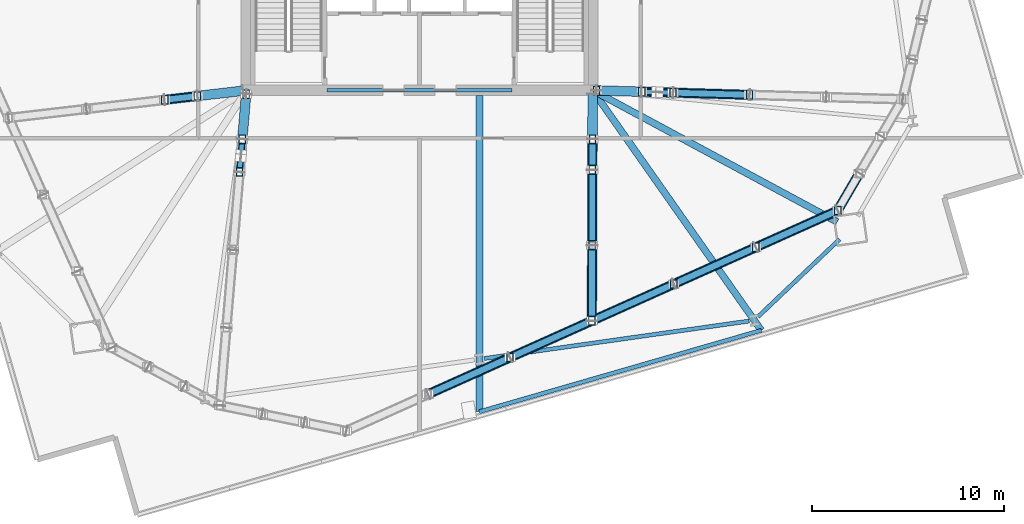
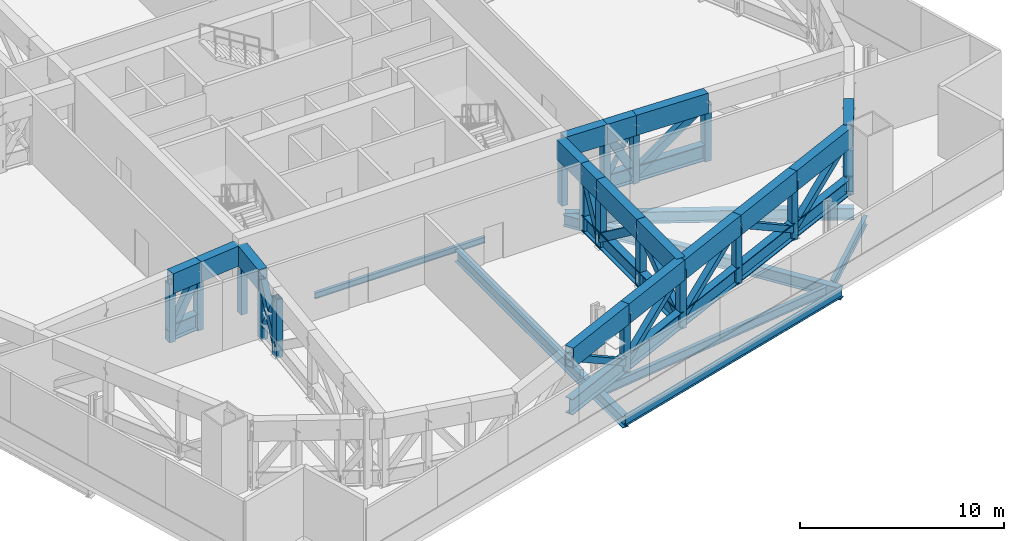
# One storey, part 3 of 19: 61 members, 7 beams.
"""IFC4 building model written with IfcOpenShell, lengths in metres."""

from ifc_helpers import new_model, si_unit, direction, frame, origin, origin_2d, place, context, subcontext, project, spatial, hollow_rectangle, hollow_circle, i_section, extrude, material, material_profile, profile_set, type_object, element, save


model = new_model("IFC4")

# Units and contexts
model_context = context("Model", 3, precision=1e-05, world=origin(), true_north=direction((0.0, 1.0)))
body_context = subcontext(model_context, "Body", "Model", "MODEL_VIEW")
ifc_project = project(units=[si_unit("LENGTHUNIT", "METRE"), si_unit("AREAUNIT", "SQUARE_METRE"), si_unit("VOLUMEUNIT", "CUBIC_METRE"), si_unit("PLANEANGLEUNIT", "RADIAN"), si_unit("MASSUNIT", "GRAM", prefix="KILO")], contexts=[model_context])

# Site, building, storey
site_placement = place(None, origin())
site = spatial("IfcSite", under=ifc_project, at=site_placement, CompositionType="ELEMENT")
building_placement = place(site_placement, origin())
building = spatial("IfcBuilding", under=site, at=building_placement, Name="Haldenkirk Collegiate Tower", CompositionType="ELEMENT")
storey_placement = place(building_placement, frame((0.0, 0.0, 81.449951171875)))
storey = spatial("IfcBuildingStorey", under=building, at=storey_placement, Name="L19", CompositionType="ELEMENT", Elevation=81.449951171875)

# Beams
ifc_material_1 = material(Name="Steel ASTM A992 Grade 50", Category="steel")
ifc_material_profile_1 = material_profile(ifc_material_1, i_section(OverallWidth=0.35498046875, OverallDepth=0.696044921875, WebThickness=0.015380859375, FlangeThickness=0.02490234375, at=origin_2d()), Name="W27X146")
ifc_profile_set_1 = profile_set([ifc_material_profile_1], Name="Steel ASTM A992 Grade 50")
beam_type_1 = type_object("IfcBeamType", Name="BM-GIRDER-W27X146", PredefinedType="BEAM", material=ifc_profile_set_1)
beam_1_placement = place(storey_placement, frame((57.71435546875, 11.15673828125, -0.758056640625), z_axis=(-0.880558564783, 0.473937352386, 0.0), x_axis=(-0.473937352386, -0.880558564783, 0.0)))
element("IfcBeam", 1, at=beam_1_placement, inside=storey, type_object=beam_type_1, Name="L19 primary floor girder 02", PredefinedType="BEAM", context=body_context, shape_type="SweptSolid", body=[
    extrude(i_section(OverallWidth=0.35498046875, OverallDepth=0.696044921875, WebThickness=0.015380859375, FlangeThickness=0.02490234375, at=origin_2d()), origin(), (0.0, 0.0, 1.0), 14.158935546875),
])
beam_2_placement = place(storey_placement, frame((39.10888671875, 1.287841796875, -0.758056640625), z_axis=(0.0, 1.0, 0.0), x_axis=(-1.0, 0.0, 0.0)))
element("IfcBeam", 2, at=beam_2_placement, inside=storey, type_object=beam_type_1, Name="L19 primary floor girder 06", PredefinedType="BEAM", context=body_context, shape_type="SweptSolid", body=[
    extrude(i_section(OverallWidth=0.35498046875, OverallDepth=0.696044921875, WebThickness=0.015380859375, FlangeThickness=0.02490234375, at=origin_2d()), origin(), (0.0, 0.0, 1.0), 16.43212890625),
])
beam_3_placement = place(storey_placement, frame((53.768798828125, 5.519287109375, -0.758056640625), z_axis=(-0.574882973857, 0.818235642324, 0.0), x_axis=(-0.818235642324, -0.574882973857, 0.0)))
element("IfcBeam", 3, at=beam_3_placement, inside=storey, type_object=beam_type_1, Name="L19 primary floor girder 07", PredefinedType="BEAM", context=body_context, shape_type="SweptSolid", body=[
    extrude(i_section(OverallWidth=0.35498046875, OverallDepth=0.696044921875, WebThickness=0.015380859375, FlangeThickness=0.02490234375, at=origin_2d()), origin(), (0.0, 0.0, 1.0), 14.973388671875),
])
ifc_material_profile_2 = material_profile(ifc_material_1, i_section(OverallWidth=0.1708984375, OverallDepth=0.35595703125, WebThickness=0.007080078125, FlangeThickness=0.01171875, at=origin_2d()), Name="W14X34")
ifc_profile_set_2 = profile_set([ifc_material_profile_2], Name="Steel ASTM A992 Grade 50")
beam_type_2 = type_object("IfcBeamType", Name="BM-LINTEL-W14X34", PredefinedType="LINTEL", material=ifc_profile_set_2)
beam_4_placement = place(storey_placement, frame((31.199951171875, 18.0, -0.587890625), z_axis=(1.0, 0.0, 0.0), x_axis=(0.0, 1.0, 0.0)))
element("IfcBeam", 4, at=beam_4_placement, inside=storey, type_object=beam_type_2, Name="L19 south core coupling lintel", PredefinedType="LINTEL", context=body_context, shape_type="SweptSolid", body=[
    extrude(i_section(OverallWidth=0.1708984375, OverallDepth=0.35595703125, WebThickness=0.007080078125, FlangeThickness=0.01171875, at=origin_2d()), origin(), (0.0, 0.0, 1.0), 9.60009765625),
])
ifc_material_profile_3 = material_profile(ifc_material_1, i_section(OverallWidth=0.2119140625, OverallDepth=0.5439453125, WebThickness=0.01318359375, FlangeThickness=0.021240234375, at=origin_2d()), Name="W21X83")
ifc_profile_set_3 = profile_set([ifc_material_profile_3], Name="Steel ASTM A992 Grade 50")
beam_type_3 = type_object("IfcBeamType", Name="BM-SPANDREL-W21X83", PredefinedType="SPANDREL", material=ifc_profile_set_3)
beam_5_placement = place(storey_placement, frame((39.37060546875, 4.055908203125, -0.681884765625), z_axis=(0.990146197746, 0.14003752029, 0.0), x_axis=(-0.14003752029, 0.990146197746, 0.0)))
element("IfcBeam", 5, at=beam_5_placement, inside=storey, type_object=beam_type_3, Name="L19 perimeter spandrel beam 03", PredefinedType="SPANDREL", context=body_context, shape_type="SweptSolid", body=[
    extrude(i_section(OverallWidth=0.2119140625, OverallDepth=0.5439453125, WebThickness=0.01318359375, FlangeThickness=0.021240234375, at=origin_2d()), origin(), (0.0, 0.0, 1.0), 13.906982421875),
])
beam_6_placement = place(storey_placement, frame((53.594482421875, 6.222412109375, -0.681884765625), z_axis=(0.725113023209, 0.688629874151, 0.0), x_axis=(-0.688629874151, 0.725113023209, 0.0)))
element("IfcBeam", 6, at=beam_6_placement, inside=storey, type_object=beam_type_3, Name="L19 perimeter spandrel beam 04", PredefinedType="SPANDREL", context=body_context, shape_type="SweptSolid", body=[
    extrude(i_section(OverallWidth=0.2119140625, OverallDepth=0.5439453125, WebThickness=0.01318359375, FlangeThickness=0.021240234375, at=origin_2d()), origin(), (0.0, 0.0, 1.0), 5.8486328125),
])
beam_7_placement = place(storey_placement, frame((39.10888671875, 1.287841796875, -0.681884765625), z_axis=(0.960777772802, 0.277319439076, 0.0), x_axis=(-0.277319439076, 0.960777772802, 0.0)))
element("IfcBeam", 7, at=beam_7_placement, inside=storey, type_object=beam_type_3, Name="L19 outer facade edge beam 1", PredefinedType="SPANDREL", context=body_context, shape_type="SweptSolid", body=[
    extrude(i_section(OverallWidth=0.2119140625, OverallDepth=0.5439453125, WebThickness=0.01318359375, FlangeThickness=0.021240234375, at=origin_2d()), origin(), (0.0, 0.0, 1.0), 15.25830078125),
])

# Members
ifc_material_2 = material(Name="Steel ASTM A572 Grade 50", Category="steel")
ifc_material_profile_4 = material_profile(ifc_material_2, hollow_rectangle(XDim=0.5, YDim=1.199951171875, WallThickness=0.050048828125, at=origin_2d()), Name="BOX1200X500X50")
ifc_profile_set_4 = profile_set([ifc_material_profile_4], Name="Steel ASTM A572 Grade 50")
member_type_1 = type_object("IfcMemberType", Name="MBR-CHORD-BOX1200", PredefinedType="CHORD", material=ifc_profile_set_4)
member_1_placement = place(storey_placement, frame((26.983154296875, 17.80078125, 3.489990234375), z_axis=(-0.084133090654, -0.996454526337, 0.0), x_axis=(0.996454526337, -0.084133090654, 0.0)))
element("IfcMember", 8, at=member_1_placement, inside=storey, type_object=member_type_1, Name="Outrigger Truss L19 Radial 01 top chord 1", PredefinedType="CHORD", context=body_context, shape_type="SweptSolid", body=[
    extrude(hollow_rectangle(XDim=0.5, YDim=1.199951171875, WallThickness=0.050048828125, at=origin_2d()), origin(), (0.0, 0.0, 1.0), 2.359130859375),
])
member_2_placement = place(storey_placement, frame((45.199951171875, 17.994140625, 3.489990234375), z_axis=(0.999580228284, -0.028971834998, 0.0), x_axis=(0.028971834998, 0.999580228284, 0.0)))
element("IfcMember", 9, at=member_2_placement, inside=storey, type_object=member_type_1, Name="Outrigger Truss L19 Radial 02 top chord 1", PredefinedType="CHORD", context=body_context, shape_type="SweptSolid", body=[
    extrude(hollow_rectangle(XDim=0.5, YDim=1.199951171875, WallThickness=0.050048828125, at=origin_2d()), origin(), (0.0, 0.0, 1.0), 2.35107421875),
])
member_3_placement = place(storey_placement, frame((47.550048828125, 17.926025390625, 3.489990234375), z_axis=(0.999581379332, -0.028932094513, 0.0), x_axis=(0.028932094513, 0.999581379332, 0.0)))
element("IfcMember", 10, at=member_3_placement, inside=storey, type_object=member_type_1, Name="Outrigger Truss L19 Radial 02 top chord 2", PredefinedType="CHORD", context=body_context, shape_type="SweptSolid", body=[
    extrude(hollow_rectangle(XDim=0.5, YDim=1.199951171875, WallThickness=0.050048828125, at=origin_2d()), origin(), (0.0, 0.0, 1.0), 1.628662109375),
])
member_4_placement = place(storey_placement, frame((49.177978515625, 17.87890625, 3.489990234375), z_axis=(0.999580699519, -0.028955572, 0.0), x_axis=(0.028955572, 0.999580699519, 0.0)))
element("IfcMember", 11, at=member_4_placement, inside=storey, type_object=member_type_1, Name="Outrigger Truss L19 Radial 02 top chord 3", PredefinedType="CHORD", context=body_context, shape_type="SweptSolid", body=[
    extrude(hollow_rectangle(XDim=0.5, YDim=1.199951171875, WallThickness=0.050048828125, at=origin_2d()), origin(), (0.0, 0.0, 1.0), 3.979736328125),
])
member_5_placement = place(storey_placement, frame((44.999267578125, 17.800048828125, 3.489990234375), z_axis=(-0.003324311571, -0.999994474461, 0.0), x_axis=(0.999994474461, -0.003324311571, 0.0)))
element("IfcMember", 12, at=member_5_placement, inside=storey, type_object=member_type_1, Name="Outrigger Truss L19 Radial 05 top chord 1", PredefinedType="CHORD", context=body_context, shape_type="SweptSolid", body=[
    extrude(hollow_rectangle(XDim=0.5, YDim=1.199951171875, WallThickness=0.050048828125, at=origin_2d()), origin(), (0.0, 0.0, 1.0), 2.35009765625),
])
member_6_placement = place(storey_placement, frame((44.991455078125, 15.449951171875, 3.489990234375), z_axis=(-0.003404498995, -0.999994204677, 0.0), x_axis=(0.999994204677, -0.003404498995, 0.0)))
element("IfcMember", 13, at=member_6_placement, inside=storey, type_object=member_type_1, Name="Outrigger Truss L19 Radial 05 top chord 2", PredefinedType="CHORD", context=body_context, shape_type="SweptSolid", body=[
    extrude(hollow_rectangle(XDim=0.5, YDim=1.199951171875, WallThickness=0.050048828125, at=origin_2d()), origin(), (0.0, 0.0, 1.0), 1.57763671875),
])
member_7_placement = place(storey_placement, frame((44.986083984375, 13.872314453125, 3.489990234375), z_axis=(-0.003356520127, -0.99999436687, 0.0), x_axis=(0.99999436687, -0.003356520127, 0.0)))
element("IfcMember", 14, at=member_7_placement, inside=storey, type_object=member_type_1, Name="Outrigger Truss L19 Radial 05 top chord 3", PredefinedType="CHORD", context=body_context, shape_type="SweptSolid", body=[
    extrude(hollow_rectangle(XDim=0.5, YDim=1.199951171875, WallThickness=0.050048828125, at=origin_2d()), origin(), (0.0, 0.0, 1.0), 3.927734375),
])
member_8_placement = place(storey_placement, frame((44.972900390625, 9.944580078125, 3.489990234375), z_axis=(-0.003294158272, -0.999994574246, 0.0), x_axis=(0.999994574246, -0.003294158272, 0.0)))
element("IfcMember", 15, at=member_8_placement, inside=storey, type_object=member_type_1, Name="Outrigger Truss L19 Radial 05 top chord 4", PredefinedType="CHORD", context=body_context, shape_type="SweptSolid", body=[
    extrude(hollow_rectangle(XDim=0.5, YDim=1.199951171875, WallThickness=0.050048828125, at=origin_2d()), origin(), (0.0, 0.0, 1.0), 3.927978515625),
])
member_9_placement = place(storey_placement, frame((26.80126953125, 17.976806640625, 3.489990234375), z_axis=(-0.993294165469, -0.115614449122, 0.0), x_axis=(0.115614449122, -0.993294165469, 0.0)))
element("IfcMember", 16, at=member_9_placement, inside=storey, type_object=member_type_1, Name="Outrigger Truss L19 Radial 08 top chord 1", PredefinedType="CHORD", context=body_context, shape_type="SweptSolid", body=[
    extrude(hollow_rectangle(XDim=0.5, YDim=1.199951171875, WallThickness=0.050048828125, at=origin_2d()), origin(), (0.0, 0.0, 1.0), 2.3671875),
])
member_10_placement = place(storey_placement, frame((24.449951171875, 17.703125, 3.489990234375), z_axis=(-0.993282262026, -0.115716670985, 0.0), x_axis=(0.115716670985, -0.993282262026, 0.0)))
element("IfcMember", 17, at=member_10_placement, inside=storey, type_object=member_type_1, Name="Outrigger Truss L19 Radial 08 top chord 2", PredefinedType="CHORD", context=body_context, shape_type="SweptSolid", body=[
    extrude(hollow_rectangle(XDim=0.5, YDim=1.199951171875, WallThickness=0.050048828125, at=origin_2d()), origin(), (0.0, 0.0, 1.0), 1.713134765625),
])
member_11_placement = place(storey_placement, frame((36.44091796875, 2.197021484375, 3.489990234375), z_axis=(0.912471623482, 0.409139996016, 0.0), x_axis=(-0.409139996016, 0.912471623482, 0.0)))
element("IfcMember", 18, at=member_11_placement, inside=storey, type_object=member_type_1, Name="Belt Truss L19-02 top chord 2", PredefinedType="CHORD", context=body_context, shape_type="SweptSolid", body=[
    extrude(hollow_rectangle(XDim=0.5, YDim=1.199951171875, WallThickness=0.050048828125, at=origin_2d()), origin(), (0.0, 0.0, 1.0), 4.668212890625),
])
for number, where, z_axis, x_axis, name in (
    (19, (40.700439453125, 4.10693359375, 3.489990234375), (0.91249114781, 0.409096449714, 0.0), (-0.409096449714, 0.91249114781, 0.0), "Belt Truss L19-02 top chord 3"),
    (20, (44.9599609375, 6.0166015625, 3.489990234375), (0.912462868131, 0.409159521804, 0.0), (-0.409159521804, 0.912462868131, 0.0), "Belt Truss L19-03 top chord 1"),
):
    element("IfcMember", number, at=place(storey_placement, frame(where, z_axis=z_axis, x_axis=x_axis)), inside=storey, type_object=member_type_1, Name=name, PredefinedType="CHORD", context=body_context, shape_type="SweptSolid", body=[
        extrude(hollow_rectangle(XDim=0.5, YDim=1.199951171875, WallThickness=0.050048828125, at=origin_2d()), origin(), (0.0, 0.0, 1.0), 4.66796875),
    ])
member_12_placement = place(storey_placement, frame((49.21923828125, 7.926513671875, 3.489990234375), z_axis=(0.912471623482, 0.409139996016, 0.0), x_axis=(-0.409139996016, 0.912471623482, 0.0)))
element("IfcMember", 21, at=member_12_placement, inside=storey, type_object=member_type_1, Name="Belt Truss L19-03 top chord 2", PredefinedType="CHORD", context=body_context, shape_type="SweptSolid", body=[
    extrude(hollow_rectangle(XDim=0.5, YDim=1.199951171875, WallThickness=0.050048828125, at=origin_2d()), origin(), (0.0, 0.0, 1.0), 4.668212890625),
])
member_13_placement = place(storey_placement, frame((53.478759765625, 9.83642578125, 3.489990234375), z_axis=(0.91249114781, 0.409096449714, 0.0), x_axis=(-0.409096449714, 0.91249114781, 0.0)))
element("IfcMember", 22, at=member_13_placement, inside=storey, type_object=member_type_1, Name="Belt Truss L19-03 top chord 3", PredefinedType="CHORD", context=body_context, shape_type="SweptSolid", body=[
    extrude(hollow_rectangle(XDim=0.5, YDim=1.199951171875, WallThickness=0.050048828125, at=origin_2d()), origin(), (0.0, 0.0, 1.0), 4.66796875),
])
member_14_placement = place(storey_placement, frame((57.73828125, 11.74609375, 3.489990234375), z_axis=(0.503633058286, 0.863917671194, 0.0), x_axis=(-0.863917671194, 0.503633058286, 0.0)))
element("IfcMember", 23, at=member_14_placement, inside=storey, type_object=member_type_1, Name="Belt Truss L19-04 top chord 1", PredefinedType="CHORD", context=body_context, shape_type="SweptSolid", body=[
    extrude(hollow_rectangle(XDim=0.5, YDim=1.199951171875, WallThickness=0.050048828125, at=origin_2d()), origin(), (0.0, 0.0, 1.0), 2.23291015625),
])
ifc_material_3 = material(Name="Steel ASTM A913 Grade 65", Category="steel")
ifc_material_profile_5 = material_profile(ifc_material_3, i_section(OverallWidth=0.423095703125, OverallDepth=0.947998046875, WebThickness=0.02392578125, FlangeThickness=0.042724609375, at=origin_2d()), Name="W36X302")
ifc_profile_set_5 = profile_set([ifc_material_profile_5], Name="Steel ASTM A913 Grade 65")
member_type_2 = type_object("IfcMemberType", Name="MBR-CHORD-W36X302", PredefinedType="CHORD", material=ifc_profile_set_5)
member_15_placement = place(storey_placement, frame((47.550048828125, 17.926025390625, 0.550048828125), z_axis=(0.999581379332, -0.028932094513, 0.0), x_axis=(0.028932094513, 0.999581379332, 0.0)))
element("IfcMember", 24, at=member_15_placement, inside=storey, type_object=member_type_2, Name="Outrigger Truss L19 Radial 02 bottom chord 2", PredefinedType="CHORD", context=body_context, shape_type="SweptSolid", body=[
    extrude(i_section(OverallWidth=0.423095703125, OverallDepth=0.947998046875, WebThickness=0.02392578125, FlangeThickness=0.042724609375, at=origin_2d()), origin(), (0.0, 0.0, 1.0), 1.628662109375),
])
member_16_placement = place(storey_placement, frame((49.177978515625, 17.87890625, 0.550048828125), z_axis=(0.999580699519, -0.028955572, 0.0), x_axis=(0.028955572, 0.999580699519, 0.0)))
element("IfcMember", 25, at=member_16_placement, inside=storey, type_object=member_type_2, Name="Outrigger Truss L19 Radial 02 bottom chord 3", PredefinedType="CHORD", context=body_context, shape_type="SweptSolid", body=[
    extrude(i_section(OverallWidth=0.423095703125, OverallDepth=0.947998046875, WebThickness=0.02392578125, FlangeThickness=0.042724609375, at=origin_2d()), origin(), (0.0, 0.0, 1.0), 3.979736328125),
])
member_17_placement = place(storey_placement, frame((44.991455078125, 15.449951171875, 0.550048828125), z_axis=(-0.003404498995, -0.999994204677, 0.0), x_axis=(0.999994204677, -0.003404498995, 0.0)))
element("IfcMember", 26, at=member_17_placement, inside=storey, type_object=member_type_2, Name="Outrigger Truss L19 Radial 05 bottom chord 2", PredefinedType="CHORD", context=body_context, shape_type="SweptSolid", body=[
    extrude(i_section(OverallWidth=0.423095703125, OverallDepth=0.947998046875, WebThickness=0.02392578125, FlangeThickness=0.042724609375, at=origin_2d()), origin(), (0.0, 0.0, 1.0), 1.57763671875),
])
member_18_placement = place(storey_placement, frame((44.986083984375, 13.872314453125, 0.550048828125), z_axis=(-0.003356520127, -0.99999436687, 0.0), x_axis=(0.99999436687, -0.003356520127, 0.0)))
element("IfcMember", 27, at=member_18_placement, inside=storey, type_object=member_type_2, Name="Outrigger Truss L19 Radial 05 bottom chord 3", PredefinedType="CHORD", context=body_context, shape_type="SweptSolid", body=[
    extrude(i_section(OverallWidth=0.423095703125, OverallDepth=0.947998046875, WebThickness=0.02392578125, FlangeThickness=0.042724609375, at=origin_2d()), origin(), (0.0, 0.0, 1.0), 3.927734375),
])
member_19_placement = place(storey_placement, frame((44.972900390625, 9.944580078125, 0.550048828125), z_axis=(-0.003294158272, -0.999994574246, 0.0), x_axis=(0.999994574246, -0.003294158272, 0.0)))
element("IfcMember", 28, at=member_19_placement, inside=storey, type_object=member_type_2, Name="Outrigger Truss L19 Radial 05 bottom chord 4", PredefinedType="CHORD", context=body_context, shape_type="SweptSolid", body=[
    extrude(i_section(OverallWidth=0.423095703125, OverallDepth=0.947998046875, WebThickness=0.02392578125, FlangeThickness=0.042724609375, at=origin_2d()), origin(), (0.0, 0.0, 1.0), 3.927978515625),
])
member_20_placement = place(storey_placement, frame((24.449951171875, 17.703125, 0.550048828125), z_axis=(-0.993282262026, -0.115716670985, 0.0), x_axis=(0.115716670985, -0.993282262026, 0.0)))
element("IfcMember", 29, at=member_20_placement, inside=storey, type_object=member_type_2, Name="Outrigger Truss L19 Radial 08 bottom chord 2", PredefinedType="CHORD", context=body_context, shape_type="SweptSolid", body=[
    extrude(i_section(OverallWidth=0.423095703125, OverallDepth=0.947998046875, WebThickness=0.02392578125, FlangeThickness=0.042724609375, at=origin_2d()), origin(), (0.0, 0.0, 1.0), 1.713134765625),
])
member_21_placement = place(storey_placement, frame((36.44091796875, 2.197021484375, 0.550048828125), z_axis=(0.912471623482, 0.409139996016, 0.0), x_axis=(-0.409139996016, 0.912471623482, 0.0)))
element("IfcMember", 30, at=member_21_placement, inside=storey, type_object=member_type_2, Name="Belt Truss L19-02 bottom chord 2", PredefinedType="CHORD", context=body_context, shape_type="SweptSolid", body=[
    extrude(i_section(OverallWidth=0.423095703125, OverallDepth=0.947998046875, WebThickness=0.02392578125, FlangeThickness=0.042724609375, at=origin_2d()), origin(), (0.0, 0.0, 1.0), 4.668212890625),
])
for number, where, z_axis, x_axis, name in (
    (31, (40.700439453125, 4.10693359375, 0.550048828125), (0.91249114781, 0.409096449714, 0.0), (-0.409096449714, 0.91249114781, 0.0), "Belt Truss L19-02 bottom chord 3"),
    (32, (44.9599609375, 6.0166015625, 0.550048828125), (0.912462868131, 0.409159521804, 0.0), (-0.409159521804, 0.912462868131, 0.0), "Belt Truss L19-03 bottom chord 1"),
):
    element("IfcMember", number, at=place(storey_placement, frame(where, z_axis=z_axis, x_axis=x_axis)), inside=storey, type_object=member_type_2, Name=name, PredefinedType="CHORD", context=body_context, shape_type="SweptSolid", body=[
        extrude(i_section(OverallWidth=0.423095703125, OverallDepth=0.947998046875, WebThickness=0.02392578125, FlangeThickness=0.042724609375, at=origin_2d()), origin(), (0.0, 0.0, 1.0), 4.66796875),
    ])
member_22_placement = place(storey_placement, frame((49.21923828125, 7.926513671875, 0.550048828125), z_axis=(0.912471623482, 0.409139996016, 0.0), x_axis=(-0.409139996016, 0.912471623482, 0.0)))
element("IfcMember", 33, at=member_22_placement, inside=storey, type_object=member_type_2, Name="Belt Truss L19-03 bottom chord 2", PredefinedType="CHORD", context=body_context, shape_type="SweptSolid", body=[
    extrude(i_section(OverallWidth=0.423095703125, OverallDepth=0.947998046875, WebThickness=0.02392578125, FlangeThickness=0.042724609375, at=origin_2d()), origin(), (0.0, 0.0, 1.0), 4.668212890625),
])
member_23_placement = place(storey_placement, frame((53.478759765625, 9.83642578125, 0.550048828125), z_axis=(0.91249114781, 0.409096449714, 0.0), x_axis=(-0.409096449714, 0.91249114781, 0.0)))
element("IfcMember", 34, at=member_23_placement, inside=storey, type_object=member_type_2, Name="Belt Truss L19-03 bottom chord 3", PredefinedType="CHORD", context=body_context, shape_type="SweptSolid", body=[
    extrude(i_section(OverallWidth=0.423095703125, OverallDepth=0.947998046875, WebThickness=0.02392578125, FlangeThickness=0.042724609375, at=origin_2d()), origin(), (0.0, 0.0, 1.0), 4.66796875),
])
member_24_placement = place(storey_placement, frame((57.73828125, 11.74609375, 0.550048828125), z_axis=(0.503633058286, 0.863917671194, 0.0), x_axis=(-0.863917671194, 0.503633058286, 0.0)))
element("IfcMember", 35, at=member_24_placement, inside=storey, type_object=member_type_2, Name="Belt Truss L19-04 bottom chord 1", PredefinedType="CHORD", context=body_context, shape_type="SweptSolid", body=[
    extrude(i_section(OverallWidth=0.423095703125, OverallDepth=0.947998046875, WebThickness=0.02392578125, FlangeThickness=0.042724609375, at=origin_2d()), origin(), (0.0, 0.0, 1.0), 2.23291015625),
])
ifc_material_profile_6 = material_profile(ifc_material_2, hollow_circle(Radius=0.136474609375, WallThickness=0.011962890625, at=origin_2d()), Name="CHS273X12")
ifc_profile_set_6 = profile_set([ifc_material_profile_6], Name="Steel ASTM A572 Grade 50")
member_type_3 = type_object("IfcMemberType", Name="MBR-STRUT-CHS273", PredefinedType="STRUT", material=ifc_profile_set_6)
for number, where, z_axis, x_axis, name in (
    (36, (26.78466796875, 15.449951171875, 0.550048828125), (-0.042192175309, -0.498939215956, 0.865609310904), (0.996443548275, -0.084263011465, 0.0), "Outrigger Truss L19 Radial 01 split X-brace diagonal 2A"),
    (37, (26.702880859375, 14.482666015625, 2.227783203125), (-0.042021531482, -0.499068467519, 0.86554309865), (0.996473923541, -0.083903037507, 0.0), "Outrigger Truss L19 Radial 01 split X-brace diagonal 2B"),
):
    element("IfcMember", number, at=place(storey_placement, frame(where, z_axis=z_axis, x_axis=x_axis)), inside=storey, type_object=member_type_3, Name=name, PredefinedType="STRUT", context=body_context, shape_type="SweptSolid", body=[
        extrude(hollow_circle(Radius=0.136474609375, WallThickness=0.011962890625, at=origin_2d()), origin(), (0.0, 0.0, 1.0), 1.458251953125),
    ])
for number, where, z_axis, x_axis, name in (
    (38, (47.550048828125, 17.926025390625, 0.550048828125), (0.484401150844, -0.013898143586, 0.874735598147), (0.028679590548, 0.999588655941, 0.0), "Outrigger Truss L19 Radial 02 split X-brace diagonal 2A"),
    (39, (48.480224609375, 17.899169921875, 2.22998046875), (0.48440000284, -0.014067599803, 0.874733525072), (0.029029048696, 0.999578568364, 0.0), "Outrigger Truss L19 Radial 02 split X-brace diagonal 2B"),
):
    element("IfcMember", number, at=place(storey_placement, frame(where, z_axis=z_axis, x_axis=x_axis)), inside=storey, type_object=member_type_3, Name=name, PredefinedType="STRUT", context=body_context, shape_type="SweptSolid", body=[
        extrude(hollow_circle(Radius=0.136474609375, WallThickness=0.011962890625, at=origin_2d()), origin(), (0.0, 0.0, 1.0), 1.4404296875),
    ])
ifc_material_profile_7 = material_profile(ifc_material_2, hollow_rectangle(XDim=0.35009765625, YDim=0.35009765625, WallThickness=0.01611328125, at=origin_2d()), Name="HSS350X350X16")
ifc_profile_set_7 = profile_set([ifc_material_profile_7], Name="Steel ASTM A572 Grade 50")
member_type_4 = type_object("IfcMemberType", Name="MBR-TRUSSDIAG-HSS350X350X16", PredefinedType="BRACE", material=ifc_profile_set_7)
member_25_placement = place(storey_placement, frame((36.44091796875, 2.197021484375, 3.489990234375), z_axis=(0.772106876887, 0.346202332658, -0.532911733334), x_axis=(-0.409139996016, 0.912471623482, 0.0)))
element("IfcMember", 40, at=member_25_placement, inside=storey, type_object=member_type_4, Name="Belt Truss L19-02 web diagonal 2", PredefinedType="BRACE", context=body_context, shape_type="SweptSolid", body=[
    extrude(hollow_rectangle(XDim=0.35009765625, YDim=0.35009765625, WallThickness=0.01611328125, at=origin_2d()), origin(), (0.0, 0.0, 1.0), 5.516845703125),
])
for number, where, z_axis, x_axis, name in (
    (41, (40.700439453125, 4.10693359375, 0.550048828125), (0.77211870584, 0.346163381503, 0.532919897732), (-0.409096449714, 0.91249114781, 0.0), "Belt Truss L19-02 web diagonal 3"),
    (42, (44.9599609375, 6.0166015625, 0.550048828125), (0.772089003781, 0.346214162362, 0.532929942882), (-0.409159521804, 0.912462868131, 0.0), "Belt Truss L19-03 web diagonal 1"),
):
    element("IfcMember", number, at=place(storey_placement, frame(where, z_axis=z_axis, x_axis=x_axis)), inside=storey, type_object=member_type_4, Name=name, PredefinedType="BRACE", context=body_context, shape_type="SweptSolid", body=[
        extrude(hollow_rectangle(XDim=0.35009765625, YDim=0.35009765625, WallThickness=0.01611328125, at=origin_2d()), origin(), (0.0, 0.0, 1.0), 5.5166015625),
    ])
member_26_placement = place(storey_placement, frame((49.21923828125, 7.926513671875, 3.489990234375), z_axis=(0.772106876887, 0.346202332658, -0.532911733334), x_axis=(-0.409139996016, 0.912471623482, 0.0)))
element("IfcMember", 43, at=member_26_placement, inside=storey, type_object=member_type_4, Name="Belt Truss L19-03 web diagonal 2", PredefinedType="BRACE", context=body_context, shape_type="SweptSolid", body=[
    extrude(hollow_rectangle(XDim=0.35009765625, YDim=0.35009765625, WallThickness=0.01611328125, at=origin_2d()), origin(), (0.0, 0.0, 1.0), 5.516845703125),
])
member_27_placement = place(storey_placement, frame((53.478759765625, 9.83642578125, 0.550048828125), z_axis=(0.77211870584, 0.346163381503, 0.532919897732), x_axis=(-0.409096449714, 0.91249114781, 0.0)))
element("IfcMember", 44, at=member_27_placement, inside=storey, type_object=member_type_4, Name="Belt Truss L19-03 web diagonal 3", PredefinedType="BRACE", context=body_context, shape_type="SweptSolid", body=[
    extrude(hollow_rectangle(XDim=0.35009765625, YDim=0.35009765625, WallThickness=0.01611328125, at=origin_2d()), origin(), (0.0, 0.0, 1.0), 5.5166015625),
])
ifc_material_profile_8 = material_profile(ifc_material_2, hollow_rectangle(XDim=0.35009765625, YDim=0.449951171875, WallThickness=0.02197265625, at=origin_2d()), Name="HSS450X350X22")
ifc_profile_set_8 = profile_set([ifc_material_profile_8], Name="Steel ASTM A572 Grade 50")
member_type_5 = type_object("IfcMemberType", Name="MBR-TRUSSDIAG-HSS450X350X22", PredefinedType="BRACE", material=ifc_profile_set_8)
member_28_placement = place(storey_placement, frame((26.78466796875, 15.449951171875, 3.489990234375), z_axis=(-0.042120313425, -0.499046648647, -0.865550877575), x_axis=(0.996457106194, -0.084102529775, 0.0)))
element("IfcMember", 45, at=member_28_placement, inside=storey, type_object=member_type_5, Name="Outrigger Truss L19 Radial 01 web diagonal 2", PredefinedType="BRACE", context=body_context, shape_type="SweptSolid", body=[
    extrude(hollow_rectangle(XDim=0.35009765625, YDim=0.449951171875, WallThickness=0.02197265625, at=origin_2d()), origin(), (0.0, 0.0, 1.0), 3.396728515625),
])
member_29_placement = place(storey_placement, frame((47.550048828125, 17.926025390625, 3.489990234375), z_axis=(0.484373527533, -0.01401980966, -0.874748952993), x_axis=(0.028932094513, 0.999581379332, 0.0)))
element("IfcMember", 46, at=member_29_placement, inside=storey, type_object=member_type_5, Name="Outrigger Truss L19 Radial 02 web diagonal 2", PredefinedType="BRACE", context=body_context, shape_type="SweptSolid", body=[
    extrude(hollow_rectangle(XDim=0.35009765625, YDim=0.449951171875, WallThickness=0.02197265625, at=origin_2d()), origin(), (0.0, 0.0, 1.0), 3.36083984375),
])
member_30_placement = place(storey_placement, frame((49.177978515625, 17.87890625, 0.550048828125), z_axis=(0.803990827264, -0.023289779702, 0.59418543893), x_axis=(0.028955572, 0.999580699519, 0.0)))
element("IfcMember", 47, at=member_30_placement, inside=storey, type_object=member_type_5, Name="Outrigger Truss L19 Radial 02 web diagonal 3", PredefinedType="BRACE", context=body_context, shape_type="SweptSolid", body=[
    extrude(hollow_rectangle(XDim=0.35009765625, YDim=0.449951171875, WallThickness=0.02197265625, at=origin_2d()), origin(), (0.0, 0.0, 1.0), 4.94775390625),
])
member_31_placement = place(storey_placement, frame((44.991455078125, 15.449951171875, 3.489990234375), z_axis=(-0.001609799562, -0.472842034919, -0.881145741952), x_axis=(0.999994204677, -0.003404498995, 0.0)))
element("IfcMember", 48, at=member_31_placement, inside=storey, type_object=member_type_5, Name="Outrigger Truss L19 Radial 05 web diagonal 2", PredefinedType="BRACE", context=body_context, shape_type="SweptSolid", body=[
    extrude(hollow_rectangle(XDim=0.35009765625, YDim=0.449951171875, WallThickness=0.02197265625, at=origin_2d()), origin(), (0.0, 0.0, 1.0), 3.33642578125),
])
for number, where, z_axis, x_axis, name in (
    (49, (44.986083984375, 13.872314453125, 0.550048828125), (-0.002687144469, -0.800570004044, 0.599233216602), (0.99999436687, -0.003356520127, 0.0), "Outrigger Truss L19 Radial 05 web diagonal 3"),
    (50, (44.972900390625, 9.944580078125, 3.489990234375), (-0.002637277819, -0.800587977926, -0.599209424463), (0.999994574246, -0.003294158272, 0.0), "Outrigger Truss L19 Radial 05 web diagonal 4"),
):
    element("IfcMember", number, at=place(storey_placement, frame(where, z_axis=z_axis, x_axis=x_axis)), inside=storey, type_object=member_type_5, Name=name, PredefinedType="BRACE", context=body_context, shape_type="SweptSolid", body=[
        extrude(hollow_rectangle(XDim=0.35009765625, YDim=0.449951171875, WallThickness=0.02197265625, at=origin_2d()), origin(), (0.0, 0.0, 1.0), 4.90625),
    ])
member_32_placement = place(storey_placement, frame((24.449951171875, 17.703125, 3.489990234375), z_axis=(-0.500094704026, -0.058260674271, -0.864008669423), x_axis=(0.115716670985, -0.993282262026, 0.0)))
element("IfcMember", 51, at=member_32_placement, inside=storey, type_object=member_type_5, Name="Outrigger Truss L19 Radial 08 web diagonal 2", PredefinedType="BRACE", context=body_context, shape_type="SweptSolid", body=[
    extrude(hollow_rectangle(XDim=0.35009765625, YDim=0.449951171875, WallThickness=0.02197265625, at=origin_2d()), origin(), (0.0, 0.0, 1.0), 3.402587890625),
])
ifc_material_profile_9 = material_profile(ifc_material_2, hollow_rectangle(XDim=0.35009765625, YDim=0.449951171875, WallThickness=0.02197265625, at=origin_2d()), Name="HSS450X350X22")
ifc_profile_set_9 = profile_set([ifc_material_profile_9], Name="Steel ASTM A572 Grade 50")
member_type_6 = type_object("IfcMemberType", Name="MBR-TRUSSPOST-HSS450X350X22", PredefinedType="POST", material=ifc_profile_set_9)
for number, where, z_axis, x_axis, name in (
    (52, (26.983154296875, 17.80078125, 0.0), (0.0, 0.0, 1.0), (1.0, 0.0, 0.0), "Outrigger Truss L19 Radial 01 vertical post 1"),
    (53, (26.78466796875, 15.449951171875, 0.0), (0.0, 0.0, 1.0), (1.0, 0.0, 0.0), "Outrigger Truss L19 Radial 01 vertical post 2"),
    (54, (26.6416015625, 13.7548828125, 0.0), (0.0, 0.0, 1.0), (1.0, 0.0, 0.0), "Outrigger Truss L19 Radial 01 vertical post 3"),
    (55, (45.199951171875, 17.994140625, 0.0), (0.0, 0.0, 1.0), (1.0, 0.0, 0.0), "Outrigger Truss L19 Radial 02 vertical post 1"),
    (56, (47.550048828125, 17.926025390625, 0.0), (0.0, 0.0, 1.0), (1.0, 0.0, 0.0), "Outrigger Truss L19 Radial 02 vertical post 2"),
    (57, (49.177978515625, 17.87890625, 0.0), (0.0, 0.0, 1.0), (1.0, 0.0, 0.0), "Outrigger Truss L19 Radial 02 vertical post 3"),
    (58, (53.156005859375, 17.763671875, 0.0), (0.0, 0.0, 1.0), (1.0, 0.0, 0.0), "Outrigger Truss L19 Radial 02 vertical post 4"),
    (59, (44.991455078125, 15.449951171875, 0.0), (0.0, 0.0, 1.0), (1.0, 0.0, 0.0), "Outrigger Truss L19 Radial 05 vertical post 2"),
    (60, (44.986083984375, 13.872314453125, 0.0), (0.0, 0.0, 1.0), (1.0, 0.0, 0.0), "Outrigger Truss L19 Radial 05 vertical post 3"),
    (61, (44.972900390625, 9.944580078125, 0.0), (0.0, 0.0, 1.0), (1.0, 0.0, 0.0), "Outrigger Truss L19 Radial 05 vertical post 4"),
    (62, (44.9599609375, 6.0166015625, 0.0), (0.0, 0.0, 1.0), (1.0, 0.0, 0.0), "Outrigger Truss L19 Radial 05 vertical post 5"),
    (63, (24.449951171875, 17.703125, 0.0), (0.0, 0.0, 1.0), (1.0, 0.0, 0.0), "Outrigger Truss L19 Radial 08 vertical post 2"),
    (64, (22.748291015625, 17.5048828125, 0.0), (0.0, 0.0, 1.0), (1.0, 0.0, 0.0), "Outrigger Truss L19 Radial 08 vertical post 3"),
    (65, (40.700439453125, 4.10693359375, 0.0), (0.0, 0.0, 1.0), (1.0, 0.0, 0.0), "Belt Truss L19-02 vertical post 3"),
    (66, (49.21923828125, 7.926513671875, 0.0), (0.0, 0.0, 1.0), (1.0, 0.0, 0.0), "Belt Truss L19-03 vertical post 2"),
    (67, (53.478759765625, 9.83642578125, 0.0), (0.0, 0.0, 1.0), (1.0, 0.0, 0.0), "Belt Truss L19-03 vertical post 3"),
    (68, (57.73828125, 11.74609375, 0.0), (0.0, 0.0, 1.0), (1.0, 0.0, 0.0), "Belt Truss L19-03 vertical post 4"),
):
    element("IfcMember", number, at=place(storey_placement, frame(where, z_axis=z_axis, x_axis=x_axis)), inside=storey, type_object=member_type_6, Name=name, PredefinedType="POST", context=body_context, shape_type="SweptSolid", body=[
        extrude(hollow_rectangle(XDim=0.35009765625, YDim=0.449951171875, WallThickness=0.02197265625, at=origin_2d()), origin(), (0.0, 0.0, 1.0), 3.489990234375),
    ])

save(model, "model.ifc")
